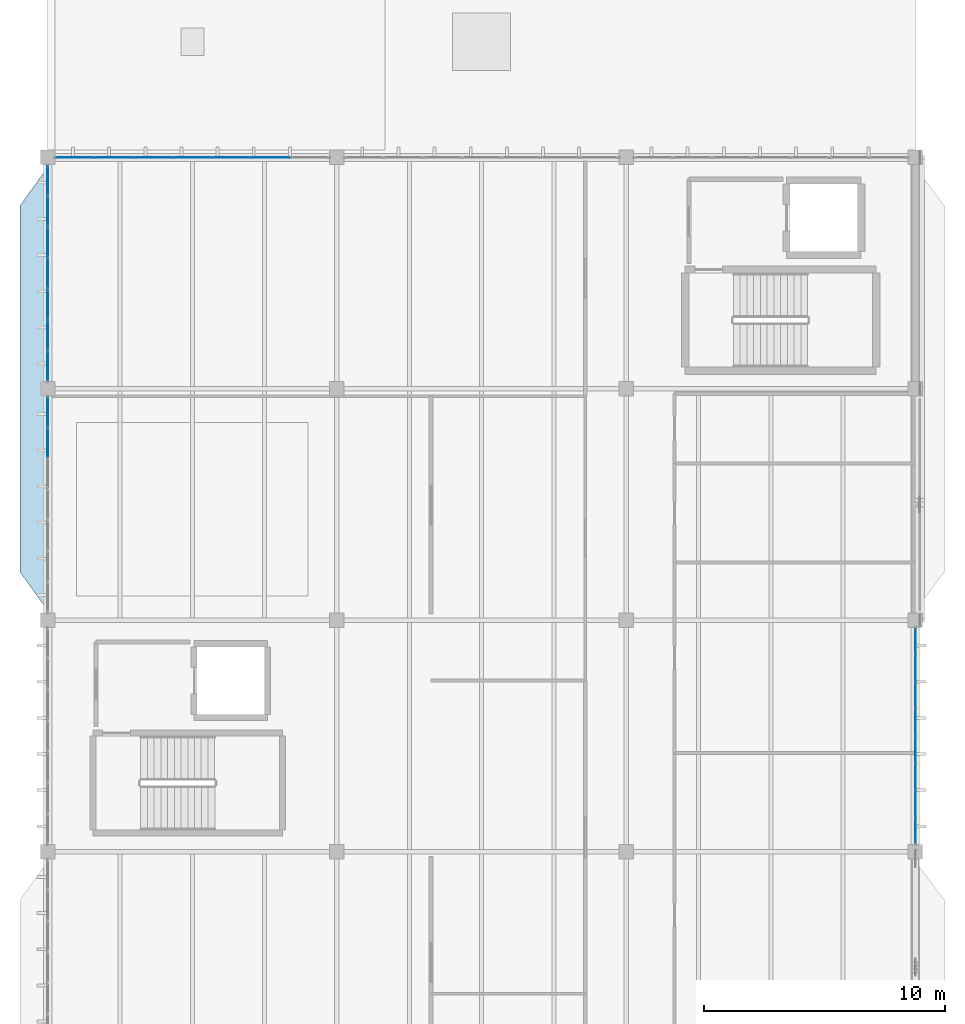
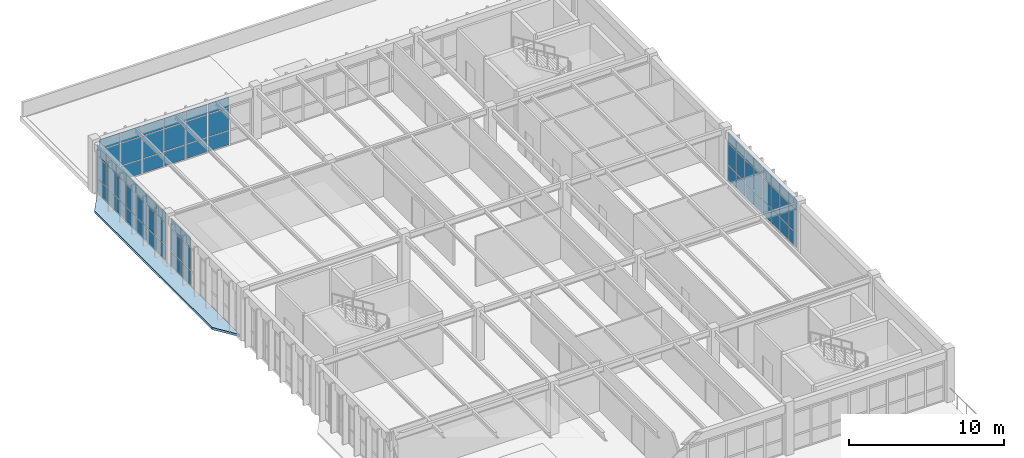
# One storey, part 28 of 37: 69 plates, 1 slab, 4 elements without a shape of their own.
"""IFC4 building model written with IfcOpenShell, lengths in metres."""

from ifc_helpers import new_model, si_unit, direction, frame, origin, origin_2d, place, context, subcontext, project, spatial, polyline, rectangle, outline, extrude, material, layer, layer_set, type_object, element, aggregate, save


model = new_model("IFC4")

# Units and contexts
model_context = context("Model", 3, precision=1e-05, world=origin(), true_north=direction((0.0, 1.0)))
body_context = subcontext(model_context, "Body", "Model", "MODEL_VIEW")
ifc_project = project(units=[si_unit("LENGTHUNIT", "METRE"), si_unit("AREAUNIT", "SQUARE_METRE"), si_unit("VOLUMEUNIT", "CUBIC_METRE"), si_unit("PLANEANGLEUNIT", "RADIAN"), si_unit("MASSUNIT", "GRAM", prefix="KILO")], contexts=[model_context])

# Site, building, storey
site_placement = place(None, origin())
site = spatial("IfcSite", under=ifc_project, at=site_placement, CompositionType="ELEMENT")
building_placement = place(site_placement, origin())
building = spatial("IfcBuilding", under=site, at=building_placement, Name="Pandanus Reach Market Hall", CompositionType="ELEMENT")
storey_placement = place(building_placement, frame((0.0, 0.0, 14.39990234375)))
storey = spatial("IfcBuildingStorey", under=building, at=storey_placement, Name="L03", CompositionType="ELEMENT", Elevation=14.39990234375)

# Curtain wall, plates
ifc_material_1 = material(Name="Bronze anodised aluminium and low-E glass", Category="aluminium")
ifc_layer_1 = layer(ifc_material_1, 0.159912109375, Name="CW-31")
ifc_layer_set_1 = layer_set([ifc_layer_1], Name="Bronze anodised aluminium and low-E glass")
curtain_wall_type_1 = type_object("IfcCurtainWallType", Name="CW-31", PredefinedType="NOTDEFINED", material=ifc_layer_set_1)
curtain_wall_1_placement = place(storey_placement, origin())
curtain_wall_1 = element("IfcCurtainWall", 1, at=curtain_wall_1_placement, inside=storey, type_object=curtain_wall_type_1, Name="Glazed curtain wall CW-31 CW-0118", PredefinedType="NOTDEFINED")
ifc_material_2 = material(Name="Solar-control double glazing", Category="glass")
ifc_layer_2 = layer(ifc_material_2, 0.028076171875, Name="CW-P1")
ifc_layer_set_2 = layer_set([ifc_layer_2], Name="Solar-control double glazing")
plate_type = type_object("IfcPlateType", Name="CW-P1", PredefinedType="CURTAIN_PANEL", material=ifc_layer_set_2)
plate_1_placement = place(storey_placement, frame((145.130615234375, 76.800048828125, 0.065185546875), z_axis=(0.0, 0.0, 1.0), x_axis=(1.0, 0.0, 0.0)))
plate_1 = element("IfcPlate", 2, at=plate_1_placement, type_object=plate_type, Name="CW-31 panel 1.1", PredefinedType="CURTAIN_PANEL", context=body_context, shape_type="SweptSolid", body=[
    extrude(rectangle(XDim=1.531005859375, YDim=0.028076171875, at=origin_2d()), origin(), (0.0, 0.0, 1.0), 1.1025390625),
])
plate_2_placement = place(storey_placement, frame((145.130615234375, 76.800048828125, 1.232421875), z_axis=(0.0, 0.0, 1.0), x_axis=(1.0, 0.0, 0.0)))
plate_2 = element("IfcPlate", 3, at=plate_2_placement, type_object=plate_type, Name="CW-31 panel 1.2", PredefinedType="CURTAIN_PANEL", context=body_context, shape_type="SweptSolid", body=[
    extrude(rectangle(XDim=1.531005859375, YDim=0.028076171875, at=origin_2d()), origin(), (0.0, 0.0, 1.0), 1.735107421875),
])
plate_3_placement = place(storey_placement, frame((145.130615234375, 76.800048828125, 3.03271484375), z_axis=(0.0, 0.0, 1.0), x_axis=(1.0, 0.0, 0.0)))
plate_3 = element("IfcPlate", 4, at=plate_3_placement, type_object=plate_type, Name="CW-31 panel 1.3", PredefinedType="CURTAIN_PANEL", context=body_context, shape_type="SweptSolid", body=[
    extrude(rectangle(XDim=1.531005859375, YDim=0.028076171875, at=origin_2d()), origin(), (0.0, 0.0, 1.0), 0.802490234375),
])
plate_4_placement = place(storey_placement, frame((146.742919921875, 76.800048828125, 0.065185546875), z_axis=(0.0, 0.0, 1.0), x_axis=(1.0, 0.0, 0.0)))
plate_4 = element("IfcPlate", 5, at=plate_4_placement, type_object=plate_type, Name="CW-31 panel 2.1", PredefinedType="CURTAIN_PANEL", context=body_context, shape_type="SweptSolid", body=[
    extrude(rectangle(XDim=1.5634765625, YDim=0.028076171875, at=origin_2d()), origin(), (0.0, 0.0, 1.0), 1.1025390625),
])
plate_5_placement = place(storey_placement, frame((146.742919921875, 76.800048828125, 1.232421875), z_axis=(0.0, 0.0, 1.0), x_axis=(1.0, 0.0, 0.0)))
plate_5 = element("IfcPlate", 6, at=plate_5_placement, type_object=plate_type, Name="CW-31 panel 2.2", PredefinedType="CURTAIN_PANEL", context=body_context, shape_type="SweptSolid", body=[
    extrude(rectangle(XDim=1.5634765625, YDim=0.028076171875, at=origin_2d()), origin(), (0.0, 0.0, 1.0), 1.735107421875),
])
plate_6_placement = place(storey_placement, frame((146.742919921875, 76.800048828125, 3.03271484375), z_axis=(0.0, 0.0, 1.0), x_axis=(1.0, 0.0, 0.0)))
plate_6 = element("IfcPlate", 7, at=plate_6_placement, type_object=plate_type, Name="CW-31 panel 2.3", PredefinedType="CURTAIN_PANEL", context=body_context, shape_type="SweptSolid", body=[
    extrude(rectangle(XDim=1.5634765625, YDim=0.028076171875, at=origin_2d()), origin(), (0.0, 0.0, 1.0), 0.802490234375),
])
plate_7_placement = place(storey_placement, frame((148.371337890625, 76.800048828125, 0.065185546875), z_axis=(0.0, 0.0, 1.0), x_axis=(1.0, 0.0, 0.0)))
plate_7 = element("IfcPlate", 8, at=plate_7_placement, type_object=plate_type, Name="CW-31 panel 3.1", PredefinedType="CURTAIN_PANEL", context=body_context, shape_type="SweptSolid", body=[
    extrude(rectangle(XDim=1.5634765625, YDim=0.028076171875, at=origin_2d()), origin(), (0.0, 0.0, 1.0), 1.1025390625),
])
plate_8_placement = place(storey_placement, frame((148.371337890625, 76.800048828125, 1.232421875), z_axis=(0.0, 0.0, 1.0), x_axis=(1.0, 0.0, 0.0)))
plate_8 = element("IfcPlate", 9, at=plate_8_placement, type_object=plate_type, Name="CW-31 panel 3.2", PredefinedType="CURTAIN_PANEL", context=body_context, shape_type="SweptSolid", body=[
    extrude(rectangle(XDim=1.5634765625, YDim=0.028076171875, at=origin_2d()), origin(), (0.0, 0.0, 1.0), 1.735107421875),
])
plate_9_placement = place(storey_placement, frame((148.371337890625, 76.800048828125, 3.03271484375), z_axis=(0.0, 0.0, 1.0), x_axis=(1.0, 0.0, 0.0)))
plate_9 = element("IfcPlate", 10, at=plate_9_placement, type_object=plate_type, Name="CW-31 panel 3.3", PredefinedType="CURTAIN_PANEL", context=body_context, shape_type="SweptSolid", body=[
    extrude(rectangle(XDim=1.5634765625, YDim=0.028076171875, at=origin_2d()), origin(), (0.0, 0.0, 1.0), 0.802490234375),
])
plate_10_placement = place(storey_placement, frame((150.0, 76.800048828125, 0.065185546875), z_axis=(0.0, 0.0, 1.0), x_axis=(1.0, 0.0, 0.0)))
plate_10 = element("IfcPlate", 11, at=plate_10_placement, type_object=plate_type, Name="CW-31 panel 4.1", PredefinedType="CURTAIN_PANEL", context=body_context, shape_type="SweptSolid", body=[
    extrude(rectangle(XDim=1.5634765625, YDim=0.028076171875, at=origin_2d()), origin(), (0.0, 0.0, 1.0), 1.1025390625),
])
plate_11_placement = place(storey_placement, frame((150.0, 76.800048828125, 1.232421875), z_axis=(0.0, 0.0, 1.0), x_axis=(1.0, 0.0, 0.0)))
plate_11 = element("IfcPlate", 12, at=plate_11_placement, type_object=plate_type, Name="CW-31 panel 4.2", PredefinedType="CURTAIN_PANEL", context=body_context, shape_type="SweptSolid", body=[
    extrude(rectangle(XDim=1.5634765625, YDim=0.028076171875, at=origin_2d()), origin(), (0.0, 0.0, 1.0), 1.735107421875),
])
plate_12_placement = place(storey_placement, frame((150.0, 76.800048828125, 3.03271484375), z_axis=(0.0, 0.0, 1.0), x_axis=(1.0, 0.0, 0.0)))
plate_12 = element("IfcPlate", 13, at=plate_12_placement, type_object=plate_type, Name="CW-31 panel 4.3", PredefinedType="CURTAIN_PANEL", context=body_context, shape_type="SweptSolid", body=[
    extrude(rectangle(XDim=1.5634765625, YDim=0.028076171875, at=origin_2d()), origin(), (0.0, 0.0, 1.0), 0.802490234375),
])
plate_13_placement = place(storey_placement, frame((151.628662109375, 76.800048828125, 0.065185546875), z_axis=(0.0, 0.0, 1.0), x_axis=(1.0, 0.0, 0.0)))
plate_13 = element("IfcPlate", 14, at=plate_13_placement, type_object=plate_type, Name="CW-31 panel 5.1", PredefinedType="CURTAIN_PANEL", context=body_context, shape_type="SweptSolid", body=[
    extrude(rectangle(XDim=1.5634765625, YDim=0.028076171875, at=origin_2d()), origin(), (0.0, 0.0, 1.0), 1.1025390625),
])
plate_14_placement = place(storey_placement, frame((151.628662109375, 76.800048828125, 1.232421875), z_axis=(0.0, 0.0, 1.0), x_axis=(1.0, 0.0, 0.0)))
plate_14 = element("IfcPlate", 15, at=plate_14_placement, type_object=plate_type, Name="CW-31 panel 5.2", PredefinedType="CURTAIN_PANEL", context=body_context, shape_type="SweptSolid", body=[
    extrude(rectangle(XDim=1.5634765625, YDim=0.028076171875, at=origin_2d()), origin(), (0.0, 0.0, 1.0), 1.735107421875),
])
plate_15_placement = place(storey_placement, frame((151.628662109375, 76.800048828125, 3.03271484375), z_axis=(0.0, 0.0, 1.0), x_axis=(1.0, 0.0, 0.0)))
plate_15 = element("IfcPlate", 16, at=plate_15_placement, type_object=plate_type, Name="CW-31 panel 5.3", PredefinedType="CURTAIN_PANEL", context=body_context, shape_type="SweptSolid", body=[
    extrude(rectangle(XDim=1.5634765625, YDim=0.028076171875, at=origin_2d()), origin(), (0.0, 0.0, 1.0), 0.802490234375),
])
plate_16_placement = place(storey_placement, frame((153.257080078125, 76.800048828125, 0.065185546875), z_axis=(0.0, 0.0, 1.0), x_axis=(1.0, 0.0, 0.0)))
plate_16 = element("IfcPlate", 17, at=plate_16_placement, type_object=plate_type, Name="CW-31 panel 6.1", PredefinedType="CURTAIN_PANEL", context=body_context, shape_type="SweptSolid", body=[
    extrude(rectangle(XDim=1.5634765625, YDim=0.028076171875, at=origin_2d()), origin(), (0.0, 0.0, 1.0), 1.1025390625),
])
plate_17_placement = place(storey_placement, frame((153.257080078125, 76.800048828125, 1.232421875), z_axis=(0.0, 0.0, 1.0), x_axis=(1.0, 0.0, 0.0)))
plate_17 = element("IfcPlate", 18, at=plate_17_placement, type_object=plate_type, Name="CW-31 panel 6.2", PredefinedType="CURTAIN_PANEL", context=body_context, shape_type="SweptSolid", body=[
    extrude(rectangle(XDim=1.5634765625, YDim=0.028076171875, at=origin_2d()), origin(), (0.0, 0.0, 1.0), 1.735107421875),
])
plate_18_placement = place(storey_placement, frame((153.257080078125, 76.800048828125, 3.03271484375), z_axis=(0.0, 0.0, 1.0), x_axis=(1.0, 0.0, 0.0)))
plate_18 = element("IfcPlate", 19, at=plate_18_placement, type_object=plate_type, Name="CW-31 panel 6.3", PredefinedType="CURTAIN_PANEL", context=body_context, shape_type="SweptSolid", body=[
    extrude(rectangle(XDim=1.5634765625, YDim=0.028076171875, at=origin_2d()), origin(), (0.0, 0.0, 1.0), 0.802490234375),
])
aggregate(curtain_wall_1, [plate_1, plate_2, plate_3, plate_4, plate_5, plate_6, plate_7, plate_8, plate_9, plate_10, plate_11, plate_12, plate_13, plate_14, plate_15, plate_16, plate_17, plate_18])

ifc_layer_3 = layer(ifc_material_1, 0.159912109375, Name="CW-34")
ifc_layer_set_3 = layer_set([ifc_layer_3], Name="Bronze anodised aluminium and low-E glass")
curtain_wall_type_2 = type_object("IfcCurtainWallType", Name="CW-34", PredefinedType="NOTDEFINED", material=ifc_layer_set_3)
curtain_wall_2_placement = place(storey_placement, origin())
curtain_wall_2 = element("IfcCurtainWall", 20, at=curtain_wall_2_placement, inside=storey, type_object=curtain_wall_type_2, Name="Glazed curtain wall CW-34 CW-0121", PredefinedType="NOTDEFINED")
plate_19_placement = place(storey_placement, frame((180.0, 48.878662109375, 0.065185546875), z_axis=(0.0, 0.0, 1.0), x_axis=(0.0, 1.0, 0.0)))
plate_19 = element("IfcPlate", 21, at=plate_19_placement, type_object=plate_type, Name="CW-34 panel 1.1", PredefinedType="CURTAIN_PANEL", context=body_context, shape_type="SweptSolid", body=[
    extrude(rectangle(XDim=1.027587890625, YDim=0.028076171875, at=origin_2d()), origin(), (0.0, 0.0, 1.0), 1.1025390625),
])
plate_20_placement = place(storey_placement, frame((180.0, 48.878662109375, 1.232421875), z_axis=(0.0, 0.0, 1.0), x_axis=(0.0, 1.0, 0.0)))
plate_20 = element("IfcPlate", 22, at=plate_20_placement, type_object=plate_type, Name="CW-34 panel 1.2", PredefinedType="CURTAIN_PANEL", context=body_context, shape_type="SweptSolid", body=[
    extrude(rectangle(XDim=1.027587890625, YDim=0.028076171875, at=origin_2d()), origin(), (0.0, 0.0, 1.0), 1.735107421875),
])
plate_21_placement = place(storey_placement, frame((180.0, 48.878662109375, 3.03271484375), z_axis=(0.0, 0.0, 1.0), x_axis=(0.0, 1.0, 0.0)))
plate_21 = element("IfcPlate", 23, at=plate_21_placement, type_object=plate_type, Name="CW-34 panel 1.3", PredefinedType="CURTAIN_PANEL", context=body_context, shape_type="SweptSolid", body=[
    extrude(rectangle(XDim=1.027587890625, YDim=0.028076171875, at=origin_2d()), origin(), (0.0, 0.0, 1.0), 0.802490234375),
])
plate_22_placement = place(storey_placement, frame((180.0, 49.987548828125, 0.065185546875), z_axis=(0.0, 0.0, 1.0), x_axis=(0.0, 1.0, 0.0)))
plate_22 = element("IfcPlate", 24, at=plate_22_placement, type_object=plate_type, Name="CW-34 panel 2.1", PredefinedType="CURTAIN_PANEL", context=body_context, shape_type="SweptSolid", body=[
    extrude(rectangle(XDim=1.06005859375, YDim=0.028076171875, at=origin_2d()), origin(), (0.0, 0.0, 1.0), 1.1025390625),
])
plate_23_placement = place(storey_placement, frame((180.0, 49.987548828125, 1.232421875), z_axis=(0.0, 0.0, 1.0), x_axis=(0.0, 1.0, 0.0)))
plate_23 = element("IfcPlate", 25, at=plate_23_placement, type_object=plate_type, Name="CW-34 panel 2.2", PredefinedType="CURTAIN_PANEL", context=body_context, shape_type="SweptSolid", body=[
    extrude(rectangle(XDim=1.06005859375, YDim=0.028076171875, at=origin_2d()), origin(), (0.0, 0.0, 1.0), 1.735107421875),
])
plate_24_placement = place(storey_placement, frame((180.0, 49.987548828125, 3.03271484375), z_axis=(0.0, 0.0, 1.0), x_axis=(0.0, 1.0, 0.0)))
plate_24 = element("IfcPlate", 26, at=plate_24_placement, type_object=plate_type, Name="CW-34 panel 2.3", PredefinedType="CURTAIN_PANEL", context=body_context, shape_type="SweptSolid", body=[
    extrude(rectangle(XDim=1.06005859375, YDim=0.028076171875, at=origin_2d()), origin(), (0.0, 0.0, 1.0), 0.802490234375),
])
plate_25_placement = place(storey_placement, frame((180.0, 51.112548828125, 0.065185546875), z_axis=(0.0, 0.0, 1.0), x_axis=(0.0, 1.0, 0.0)))
plate_25 = element("IfcPlate", 27, at=plate_25_placement, type_object=plate_type, Name="CW-34 panel 3.1", PredefinedType="CURTAIN_PANEL", context=body_context, shape_type="SweptSolid", body=[
    extrude(rectangle(XDim=1.06005859375, YDim=0.028076171875, at=origin_2d()), origin(), (0.0, 0.0, 1.0), 1.1025390625),
])
plate_26_placement = place(storey_placement, frame((180.0, 51.112548828125, 1.232421875), z_axis=(0.0, 0.0, 1.0), x_axis=(0.0, 1.0, 0.0)))
plate_26 = element("IfcPlate", 28, at=plate_26_placement, type_object=plate_type, Name="CW-34 panel 3.2", PredefinedType="CURTAIN_PANEL", context=body_context, shape_type="SweptSolid", body=[
    extrude(rectangle(XDim=1.06005859375, YDim=0.028076171875, at=origin_2d()), origin(), (0.0, 0.0, 1.0), 1.735107421875),
])
plate_27_placement = place(storey_placement, frame((180.0, 51.112548828125, 3.03271484375), z_axis=(0.0, 0.0, 1.0), x_axis=(0.0, 1.0, 0.0)))
plate_27 = element("IfcPlate", 29, at=plate_27_placement, type_object=plate_type, Name="CW-34 panel 3.3", PredefinedType="CURTAIN_PANEL", context=body_context, shape_type="SweptSolid", body=[
    extrude(rectangle(XDim=1.06005859375, YDim=0.028076171875, at=origin_2d()), origin(), (0.0, 0.0, 1.0), 0.802490234375),
])
plate_28_placement = place(storey_placement, frame((180.0, 52.237548828125, 0.065185546875), z_axis=(0.0, 0.0, 1.0), x_axis=(0.0, 1.0, 0.0)))
plate_28 = element("IfcPlate", 30, at=plate_28_placement, type_object=plate_type, Name="CW-34 panel 4.1", PredefinedType="CURTAIN_PANEL", context=body_context, shape_type="SweptSolid", body=[
    extrude(rectangle(XDim=1.06005859375, YDim=0.028076171875, at=origin_2d()), origin(), (0.0, 0.0, 1.0), 1.1025390625),
])
plate_29_placement = place(storey_placement, frame((180.0, 52.237548828125, 1.232421875), z_axis=(0.0, 0.0, 1.0), x_axis=(0.0, 1.0, 0.0)))
plate_29 = element("IfcPlate", 31, at=plate_29_placement, type_object=plate_type, Name="CW-34 panel 4.2", PredefinedType="CURTAIN_PANEL", context=body_context, shape_type="SweptSolid", body=[
    extrude(rectangle(XDim=1.06005859375, YDim=0.028076171875, at=origin_2d()), origin(), (0.0, 0.0, 1.0), 1.735107421875),
])
plate_30_placement = place(storey_placement, frame((180.0, 52.237548828125, 3.03271484375), z_axis=(0.0, 0.0, 1.0), x_axis=(0.0, 1.0, 0.0)))
plate_30 = element("IfcPlate", 32, at=plate_30_placement, type_object=plate_type, Name="CW-34 panel 4.3", PredefinedType="CURTAIN_PANEL", context=body_context, shape_type="SweptSolid", body=[
    extrude(rectangle(XDim=1.06005859375, YDim=0.028076171875, at=origin_2d()), origin(), (0.0, 0.0, 1.0), 0.802490234375),
])
plate_31_placement = place(storey_placement, frame((180.0, 53.362548828125, 0.065185546875), z_axis=(0.0, 0.0, 1.0), x_axis=(0.0, 1.0, 0.0)))
plate_31 = element("IfcPlate", 33, at=plate_31_placement, type_object=plate_type, Name="CW-34 panel 5.1", PredefinedType="CURTAIN_PANEL", context=body_context, shape_type="SweptSolid", body=[
    extrude(rectangle(XDim=1.06005859375, YDim=0.028076171875, at=origin_2d()), origin(), (0.0, 0.0, 1.0), 1.1025390625),
])
plate_32_placement = place(storey_placement, frame((180.0, 53.362548828125, 1.232421875), z_axis=(0.0, 0.0, 1.0), x_axis=(0.0, 1.0, 0.0)))
plate_32 = element("IfcPlate", 34, at=plate_32_placement, type_object=plate_type, Name="CW-34 panel 5.2", PredefinedType="CURTAIN_PANEL", context=body_context, shape_type="SweptSolid", body=[
    extrude(rectangle(XDim=1.06005859375, YDim=0.028076171875, at=origin_2d()), origin(), (0.0, 0.0, 1.0), 1.735107421875),
])
plate_33_placement = place(storey_placement, frame((180.0, 53.362548828125, 3.03271484375), z_axis=(0.0, 0.0, 1.0), x_axis=(0.0, 1.0, 0.0)))
plate_33 = element("IfcPlate", 35, at=plate_33_placement, type_object=plate_type, Name="CW-34 panel 5.3", PredefinedType="CURTAIN_PANEL", context=body_context, shape_type="SweptSolid", body=[
    extrude(rectangle(XDim=1.06005859375, YDim=0.028076171875, at=origin_2d()), origin(), (0.0, 0.0, 1.0), 0.802490234375),
])
plate_34_placement = place(storey_placement, frame((180.0, 54.487548828125, 0.065185546875), z_axis=(0.0, 0.0, 1.0), x_axis=(0.0, 1.0, 0.0)))
plate_34 = element("IfcPlate", 36, at=plate_34_placement, type_object=plate_type, Name="CW-34 panel 6.1", PredefinedType="CURTAIN_PANEL", context=body_context, shape_type="SweptSolid", body=[
    extrude(rectangle(XDim=1.06005859375, YDim=0.028076171875, at=origin_2d()), origin(), (0.0, 0.0, 1.0), 1.1025390625),
])
plate_35_placement = place(storey_placement, frame((180.0, 54.487548828125, 1.232421875), z_axis=(0.0, 0.0, 1.0), x_axis=(0.0, 1.0, 0.0)))
plate_35 = element("IfcPlate", 37, at=plate_35_placement, type_object=plate_type, Name="CW-34 panel 6.2", PredefinedType="CURTAIN_PANEL", context=body_context, shape_type="SweptSolid", body=[
    extrude(rectangle(XDim=1.06005859375, YDim=0.028076171875, at=origin_2d()), origin(), (0.0, 0.0, 1.0), 1.735107421875),
])
plate_36_placement = place(storey_placement, frame((180.0, 54.487548828125, 3.03271484375), z_axis=(0.0, 0.0, 1.0), x_axis=(0.0, 1.0, 0.0)))
plate_36 = element("IfcPlate", 38, at=plate_36_placement, type_object=plate_type, Name="CW-34 panel 6.3", PredefinedType="CURTAIN_PANEL", context=body_context, shape_type="SweptSolid", body=[
    extrude(rectangle(XDim=1.06005859375, YDim=0.028076171875, at=origin_2d()), origin(), (0.0, 0.0, 1.0), 0.802490234375),
])
plate_37_placement = place(storey_placement, frame((180.0, 55.612548828125, 0.065185546875), z_axis=(0.0, 0.0, 1.0), x_axis=(0.0, 1.0, 0.0)))
plate_37 = element("IfcPlate", 39, at=plate_37_placement, type_object=plate_type, Name="CW-34 panel 7.1", PredefinedType="CURTAIN_PANEL", context=body_context, shape_type="SweptSolid", body=[
    extrude(rectangle(XDim=1.06005859375, YDim=0.028076171875, at=origin_2d()), origin(), (0.0, 0.0, 1.0), 1.1025390625),
])
plate_38_placement = place(storey_placement, frame((180.0, 55.612548828125, 1.232421875), z_axis=(0.0, 0.0, 1.0), x_axis=(0.0, 1.0, 0.0)))
plate_38 = element("IfcPlate", 40, at=plate_38_placement, type_object=plate_type, Name="CW-34 panel 7.2", PredefinedType="CURTAIN_PANEL", context=body_context, shape_type="SweptSolid", body=[
    extrude(rectangle(XDim=1.06005859375, YDim=0.028076171875, at=origin_2d()), origin(), (0.0, 0.0, 1.0), 1.735107421875),
])
plate_39_placement = place(storey_placement, frame((180.0, 55.612548828125, 3.03271484375), z_axis=(0.0, 0.0, 1.0), x_axis=(0.0, 1.0, 0.0)))
plate_39 = element("IfcPlate", 41, at=plate_39_placement, type_object=plate_type, Name="CW-34 panel 7.3", PredefinedType="CURTAIN_PANEL", context=body_context, shape_type="SweptSolid", body=[
    extrude(rectangle(XDim=1.06005859375, YDim=0.028076171875, at=origin_2d()), origin(), (0.0, 0.0, 1.0), 0.802490234375),
])
plate_40_placement = place(storey_placement, frame((180.0, 56.72119140625, 0.065185546875), z_axis=(0.0, 0.0, 1.0), x_axis=(0.0, 1.0, 0.0)))
plate_40 = element("IfcPlate", 42, at=plate_40_placement, type_object=plate_type, Name="CW-34 panel 8.1", PredefinedType="CURTAIN_PANEL", context=body_context, shape_type="SweptSolid", body=[
    extrude(rectangle(XDim=1.027587890625, YDim=0.028076171875, at=origin_2d()), origin(), (0.0, 0.0, 1.0), 1.1025390625),
])
plate_41_placement = place(storey_placement, frame((180.0, 56.72119140625, 1.232421875), z_axis=(0.0, 0.0, 1.0), x_axis=(0.0, 1.0, 0.0)))
plate_41 = element("IfcPlate", 43, at=plate_41_placement, type_object=plate_type, Name="CW-34 panel 8.2", PredefinedType="CURTAIN_PANEL", context=body_context, shape_type="SweptSolid", body=[
    extrude(rectangle(XDim=1.027587890625, YDim=0.028076171875, at=origin_2d()), origin(), (0.0, 0.0, 1.0), 1.735107421875),
])
plate_42_placement = place(storey_placement, frame((180.0, 56.72119140625, 3.03271484375), z_axis=(0.0, 0.0, 1.0), x_axis=(0.0, 1.0, 0.0)))
plate_42 = element("IfcPlate", 44, at=plate_42_placement, type_object=plate_type, Name="CW-34 panel 8.3", PredefinedType="CURTAIN_PANEL", context=body_context, shape_type="SweptSolid", body=[
    extrude(rectangle(XDim=1.027587890625, YDim=0.028076171875, at=origin_2d()), origin(), (0.0, 0.0, 1.0), 0.802490234375),
])
aggregate(curtain_wall_2, [plate_19, plate_20, plate_21, plate_22, plate_23, plate_24, plate_25, plate_26, plate_27, plate_28, plate_29, plate_30, plate_31, plate_32, plate_33, plate_34, plate_35, plate_36, plate_37, plate_38, plate_39, plate_40, plate_41, plate_42])

ifc_layer_4 = layer(ifc_material_1, 0.159912109375, Name="CW-33")
ifc_layer_set_4 = layer_set([ifc_layer_4], Name="Bronze anodised aluminium and low-E glass")
curtain_wall_type_3 = type_object("IfcCurtainWallType", Name="CW-33", PredefinedType="NOTDEFINED", material=ifc_layer_set_4)
curtain_wall_3_placement = place(storey_placement, origin())
curtain_wall_3 = element("IfcCurtainWall", 45, at=curtain_wall_3_placement, inside=storey, type_object=curtain_wall_type_3, Name="Glazed curtain wall CW-33 CW-0125", PredefinedType="NOTDEFINED")
plate_43_placement = place(storey_placement, frame((144.0, 64.971435546875, 0.065185546875), z_axis=(0.0, 0.0, 1.0), x_axis=(0.0, 1.0, 0.0)))
plate_43 = element("IfcPlate", 46, at=plate_43_placement, type_object=plate_type, Name="CW-33 panel 6.1", PredefinedType="CURTAIN_PANEL", context=body_context, shape_type="SweptSolid", body=[
    extrude(rectangle(XDim=1.220703125, YDim=0.028076171875, at=origin_2d()), origin(), (0.0, 0.0, 1.0), 1.1025390625),
])
plate_44_placement = place(storey_placement, frame((144.0, 64.971435546875, 1.232421875), z_axis=(0.0, 0.0, 1.0), x_axis=(0.0, 1.0, 0.0)))
plate_44 = element("IfcPlate", 47, at=plate_44_placement, type_object=plate_type, Name="CW-33 panel 6.2", PredefinedType="CURTAIN_PANEL", context=body_context, shape_type="SweptSolid", body=[
    extrude(rectangle(XDim=1.220703125, YDim=0.028076171875, at=origin_2d()), origin(), (0.0, 0.0, 1.0), 1.735107421875),
])
plate_45_placement = place(storey_placement, frame((144.0, 64.971435546875, 3.03271484375), z_axis=(0.0, 0.0, 1.0), x_axis=(0.0, 1.0, 0.0)))
plate_45 = element("IfcPlate", 48, at=plate_45_placement, type_object=plate_type, Name="CW-33 panel 6.3", PredefinedType="CURTAIN_PANEL", context=body_context, shape_type="SweptSolid", body=[
    extrude(rectangle(XDim=1.220703125, YDim=0.028076171875, at=origin_2d()), origin(), (0.0, 0.0, 1.0), 0.802490234375),
])
plate_46_placement = place(storey_placement, frame((144.0, 66.240966796875, 0.065185546875), z_axis=(0.0, 0.0, 1.0), x_axis=(0.0, 1.0, 0.0)))
plate_46 = element("IfcPlate", 49, at=plate_46_placement, type_object=plate_type, Name="CW-33 panel 7.1", PredefinedType="CURTAIN_PANEL", context=body_context, shape_type="SweptSolid", body=[
    extrude(rectangle(XDim=1.188232421875, YDim=0.028076171875, at=origin_2d()), origin(), (0.0, 0.0, 1.0), 1.1025390625),
])
plate_47_placement = place(storey_placement, frame((144.0, 66.240966796875, 1.232421875), z_axis=(0.0, 0.0, 1.0), x_axis=(0.0, 1.0, 0.0)))
plate_47 = element("IfcPlate", 50, at=plate_47_placement, type_object=plate_type, Name="CW-33 panel 7.2", PredefinedType="CURTAIN_PANEL", context=body_context, shape_type="SweptSolid", body=[
    extrude(rectangle(XDim=1.188232421875, YDim=0.028076171875, at=origin_2d()), origin(), (0.0, 0.0, 1.0), 1.735107421875),
])
plate_48_placement = place(storey_placement, frame((144.0, 66.240966796875, 3.03271484375), z_axis=(0.0, 0.0, 1.0), x_axis=(0.0, 1.0, 0.0)))
plate_48 = element("IfcPlate", 51, at=plate_48_placement, type_object=plate_type, Name="CW-33 panel 7.3", PredefinedType="CURTAIN_PANEL", context=body_context, shape_type="SweptSolid", body=[
    extrude(rectangle(XDim=1.188232421875, YDim=0.028076171875, at=origin_2d()), origin(), (0.0, 0.0, 1.0), 0.802490234375),
])
aggregate(curtain_wall_3, [plate_43, plate_44, plate_45, plate_46, plate_47, plate_48])

curtain_wall_4_placement = place(storey_placement, origin())
curtain_wall_4 = element("IfcCurtainWall", 52, at=curtain_wall_4_placement, inside=storey, type_object=curtain_wall_type_3, Name="Glazed curtain wall CW-33 CW-0126", PredefinedType="NOTDEFINED")
plate_49_placement = place(storey_placement, frame((144.0, 68.1591796875, 0.065185546875), z_axis=(0.0, 0.0, 1.0), x_axis=(0.0, 1.0, 0.0)))
plate_49 = element("IfcPlate", 53, at=plate_49_placement, type_object=plate_type, Name="CW-33 panel 1.1", PredefinedType="CURTAIN_PANEL", context=body_context, shape_type="SweptSolid", body=[
    extrude(rectangle(XDim=1.188232421875, YDim=0.028076171875, at=origin_2d()), origin(), (0.0, 0.0, 1.0), 1.1025390625),
])
plate_50_placement = place(storey_placement, frame((144.0, 68.1591796875, 1.232421875), z_axis=(0.0, 0.0, 1.0), x_axis=(0.0, 1.0, 0.0)))
plate_50 = element("IfcPlate", 54, at=plate_50_placement, type_object=plate_type, Name="CW-33 panel 1.2", PredefinedType="CURTAIN_PANEL", context=body_context, shape_type="SweptSolid", body=[
    extrude(rectangle(XDim=1.188232421875, YDim=0.028076171875, at=origin_2d()), origin(), (0.0, 0.0, 1.0), 1.735107421875),
])
plate_51_placement = place(storey_placement, frame((144.0, 68.1591796875, 3.03271484375), z_axis=(0.0, 0.0, 1.0), x_axis=(0.0, 1.0, 0.0)))
plate_51 = element("IfcPlate", 55, at=plate_51_placement, type_object=plate_type, Name="CW-33 panel 1.3", PredefinedType="CURTAIN_PANEL", context=body_context, shape_type="SweptSolid", body=[
    extrude(rectangle(XDim=1.188232421875, YDim=0.028076171875, at=origin_2d()), origin(), (0.0, 0.0, 1.0), 0.802490234375),
])
plate_52_placement = place(storey_placement, frame((144.0, 69.428466796875, 0.065185546875), z_axis=(0.0, 0.0, 1.0), x_axis=(0.0, 1.0, 0.0)))
plate_52 = element("IfcPlate", 56, at=plate_52_placement, type_object=plate_type, Name="CW-33 panel 2.1", PredefinedType="CURTAIN_PANEL", context=body_context, shape_type="SweptSolid", body=[
    extrude(rectangle(XDim=1.220703125, YDim=0.028076171875, at=origin_2d()), origin(), (0.0, 0.0, 1.0), 1.1025390625),
])
plate_53_placement = place(storey_placement, frame((144.0, 69.428466796875, 1.232421875), z_axis=(0.0, 0.0, 1.0), x_axis=(0.0, 1.0, 0.0)))
plate_53 = element("IfcPlate", 57, at=plate_53_placement, type_object=plate_type, Name="CW-33 panel 2.2", PredefinedType="CURTAIN_PANEL", context=body_context, shape_type="SweptSolid", body=[
    extrude(rectangle(XDim=1.220703125, YDim=0.028076171875, at=origin_2d()), origin(), (0.0, 0.0, 1.0), 1.735107421875),
])
plate_54_placement = place(storey_placement, frame((144.0, 69.428466796875, 3.03271484375), z_axis=(0.0, 0.0, 1.0), x_axis=(0.0, 1.0, 0.0)))
plate_54 = element("IfcPlate", 58, at=plate_54_placement, type_object=plate_type, Name="CW-33 panel 2.3", PredefinedType="CURTAIN_PANEL", context=body_context, shape_type="SweptSolid", body=[
    extrude(rectangle(XDim=1.220703125, YDim=0.028076171875, at=origin_2d()), origin(), (0.0, 0.0, 1.0), 0.802490234375),
])
plate_55_placement = place(storey_placement, frame((144.0, 70.71435546875, 0.065185546875), z_axis=(0.0, 0.0, 1.0), x_axis=(0.0, 1.0, 0.0)))
plate_55 = element("IfcPlate", 59, at=plate_55_placement, type_object=plate_type, Name="CW-33 panel 3.1", PredefinedType="CURTAIN_PANEL", context=body_context, shape_type="SweptSolid", body=[
    extrude(rectangle(XDim=1.220703125, YDim=0.028076171875, at=origin_2d()), origin(), (0.0, 0.0, 1.0), 1.1025390625),
])
plate_56_placement = place(storey_placement, frame((144.0, 70.71435546875, 1.232421875), z_axis=(0.0, 0.0, 1.0), x_axis=(0.0, 1.0, 0.0)))
plate_56 = element("IfcPlate", 60, at=plate_56_placement, type_object=plate_type, Name="CW-33 panel 3.2", PredefinedType="CURTAIN_PANEL", context=body_context, shape_type="SweptSolid", body=[
    extrude(rectangle(XDim=1.220703125, YDim=0.028076171875, at=origin_2d()), origin(), (0.0, 0.0, 1.0), 1.735107421875),
])
plate_57_placement = place(storey_placement, frame((144.0, 70.71435546875, 3.03271484375), z_axis=(0.0, 0.0, 1.0), x_axis=(0.0, 1.0, 0.0)))
plate_57 = element("IfcPlate", 61, at=plate_57_placement, type_object=plate_type, Name="CW-33 panel 3.3", PredefinedType="CURTAIN_PANEL", context=body_context, shape_type="SweptSolid", body=[
    extrude(rectangle(XDim=1.220703125, YDim=0.028076171875, at=origin_2d()), origin(), (0.0, 0.0, 1.0), 0.802490234375),
])
plate_58_placement = place(storey_placement, frame((144.0, 72.0, 0.065185546875), z_axis=(0.0, 0.0, 1.0), x_axis=(0.0, 1.0, 0.0)))
plate_58 = element("IfcPlate", 62, at=plate_58_placement, type_object=plate_type, Name="CW-33 panel 4.1", PredefinedType="CURTAIN_PANEL", context=body_context, shape_type="SweptSolid", body=[
    extrude(rectangle(XDim=1.220703125, YDim=0.028076171875, at=origin_2d()), origin(), (0.0, 0.0, 1.0), 1.1025390625),
])
plate_59_placement = place(storey_placement, frame((144.0, 72.0, 1.232421875), z_axis=(0.0, 0.0, 1.0), x_axis=(0.0, 1.0, 0.0)))
plate_59 = element("IfcPlate", 63, at=plate_59_placement, type_object=plate_type, Name="CW-33 panel 4.2", PredefinedType="CURTAIN_PANEL", context=body_context, shape_type="SweptSolid", body=[
    extrude(rectangle(XDim=1.220703125, YDim=0.028076171875, at=origin_2d()), origin(), (0.0, 0.0, 1.0), 1.735107421875),
])
plate_60_placement = place(storey_placement, frame((144.0, 72.0, 3.03271484375), z_axis=(0.0, 0.0, 1.0), x_axis=(0.0, 1.0, 0.0)))
plate_60 = element("IfcPlate", 64, at=plate_60_placement, type_object=plate_type, Name="CW-33 panel 4.3", PredefinedType="CURTAIN_PANEL", context=body_context, shape_type="SweptSolid", body=[
    extrude(rectangle(XDim=1.220703125, YDim=0.028076171875, at=origin_2d()), origin(), (0.0, 0.0, 1.0), 0.802490234375),
])
plate_61_placement = place(storey_placement, frame((144.0, 73.28564453125, 0.065185546875), z_axis=(0.0, 0.0, 1.0), x_axis=(0.0, 1.0, 0.0)))
plate_61 = element("IfcPlate", 65, at=plate_61_placement, type_object=plate_type, Name="CW-33 panel 5.1", PredefinedType="CURTAIN_PANEL", context=body_context, shape_type="SweptSolid", body=[
    extrude(rectangle(XDim=1.220703125, YDim=0.028076171875, at=origin_2d()), origin(), (0.0, 0.0, 1.0), 1.1025390625),
])
plate_62_placement = place(storey_placement, frame((144.0, 73.28564453125, 1.232421875), z_axis=(0.0, 0.0, 1.0), x_axis=(0.0, 1.0, 0.0)))
plate_62 = element("IfcPlate", 66, at=plate_62_placement, type_object=plate_type, Name="CW-33 panel 5.2", PredefinedType="CURTAIN_PANEL", context=body_context, shape_type="SweptSolid", body=[
    extrude(rectangle(XDim=1.220703125, YDim=0.028076171875, at=origin_2d()), origin(), (0.0, 0.0, 1.0), 1.735107421875),
])
plate_63_placement = place(storey_placement, frame((144.0, 73.28564453125, 3.03271484375), z_axis=(0.0, 0.0, 1.0), x_axis=(0.0, 1.0, 0.0)))
plate_63 = element("IfcPlate", 67, at=plate_63_placement, type_object=plate_type, Name="CW-33 panel 5.3", PredefinedType="CURTAIN_PANEL", context=body_context, shape_type="SweptSolid", body=[
    extrude(rectangle(XDim=1.220703125, YDim=0.028076171875, at=origin_2d()), origin(), (0.0, 0.0, 1.0), 0.802490234375),
])
plate_64_placement = place(storey_placement, frame((144.0, 74.571533203125, 0.065185546875), z_axis=(0.0, 0.0, 1.0), x_axis=(0.0, 1.0, 0.0)))
plate_64 = element("IfcPlate", 68, at=plate_64_placement, type_object=plate_type, Name="CW-33 panel 6.1", PredefinedType="CURTAIN_PANEL", context=body_context, shape_type="SweptSolid", body=[
    extrude(rectangle(XDim=1.220703125, YDim=0.028076171875, at=origin_2d()), origin(), (0.0, 0.0, 1.0), 1.1025390625),
])
plate_65_placement = place(storey_placement, frame((144.0, 74.571533203125, 1.232421875), z_axis=(0.0, 0.0, 1.0), x_axis=(0.0, 1.0, 0.0)))
plate_65 = element("IfcPlate", 69, at=plate_65_placement, type_object=plate_type, Name="CW-33 panel 6.2", PredefinedType="CURTAIN_PANEL", context=body_context, shape_type="SweptSolid", body=[
    extrude(rectangle(XDim=1.220703125, YDim=0.028076171875, at=origin_2d()), origin(), (0.0, 0.0, 1.0), 1.735107421875),
])
plate_66_placement = place(storey_placement, frame((144.0, 74.571533203125, 3.03271484375), z_axis=(0.0, 0.0, 1.0), x_axis=(0.0, 1.0, 0.0)))
plate_66 = element("IfcPlate", 70, at=plate_66_placement, type_object=plate_type, Name="CW-33 panel 6.3", PredefinedType="CURTAIN_PANEL", context=body_context, shape_type="SweptSolid", body=[
    extrude(rectangle(XDim=1.220703125, YDim=0.028076171875, at=origin_2d()), origin(), (0.0, 0.0, 1.0), 0.802490234375),
])
plate_67_placement = place(storey_placement, frame((144.0, 75.8408203125, 0.065185546875), z_axis=(0.0, 0.0, 1.0), x_axis=(0.0, 1.0, 0.0)))
plate_67 = element("IfcPlate", 71, at=plate_67_placement, type_object=plate_type, Name="CW-33 panel 7.1", PredefinedType="CURTAIN_PANEL", context=body_context, shape_type="SweptSolid", body=[
    extrude(rectangle(XDim=1.188232421875, YDim=0.028076171875, at=origin_2d()), origin(), (0.0, 0.0, 1.0), 1.1025390625),
])
plate_68_placement = place(storey_placement, frame((144.0, 75.8408203125, 1.232421875), z_axis=(0.0, 0.0, 1.0), x_axis=(0.0, 1.0, 0.0)))
plate_68 = element("IfcPlate", 72, at=plate_68_placement, type_object=plate_type, Name="CW-33 panel 7.2", PredefinedType="CURTAIN_PANEL", context=body_context, shape_type="SweptSolid", body=[
    extrude(rectangle(XDim=1.188232421875, YDim=0.028076171875, at=origin_2d()), origin(), (0.0, 0.0, 1.0), 1.735107421875),
])
plate_69_placement = place(storey_placement, frame((144.0, 75.8408203125, 3.03271484375), z_axis=(0.0, 0.0, 1.0), x_axis=(0.0, 1.0, 0.0)))
plate_69 = element("IfcPlate", 73, at=plate_69_placement, type_object=plate_type, Name="CW-33 panel 7.3", PredefinedType="CURTAIN_PANEL", context=body_context, shape_type="SweptSolid", body=[
    extrude(rectangle(XDim=1.188232421875, YDim=0.028076171875, at=origin_2d()), origin(), (0.0, 0.0, 1.0), 0.802490234375),
])
aggregate(curtain_wall_4, [plate_49, plate_50, plate_51, plate_52, plate_53, plate_54, plate_55, plate_56, plate_57, plate_58, plate_59, plate_60, plate_61, plate_62, plate_63, plate_64, plate_65, plate_66, plate_67, plate_68, plate_69])

# Slab
ifc_material_3 = material(Name="Concrete N50 (50 MPa)", Category="concrete")
ifc_layer_5 = layer(ifc_material_3, 0.179931640625, Name="RF-CNP-180")
ifc_layer_set_5 = layer_set([ifc_layer_5], Name="Concrete N50 (50 MPa)")
slab_type = type_object("IfcSlabType", Name="RF-CNP-180", PredefinedType="ROOF", material=ifc_layer_set_5)
slab_placement = place(storey_placement, frame((0.0, 0.0, -0.179931640625)))
element("IfcSlab", 74, at=slab_placement, inside=storey, type_object=slab_type, Name="Sculpted concrete brise-soleil hood 23", PredefinedType="ROOF", context=body_context, shape_type="SweptSolid", body=[
    extrude(outline(polyline([(144.0, 58.0), (144.0, 76.39990234375), (142.85009765625, 74.800048828125), (142.85009765625, 59.60009765625), (144.0, 58.0)])), origin(), (0.0, 0.0, 1.0), 0.179931640625),
])

save(model, "model.ifc")
